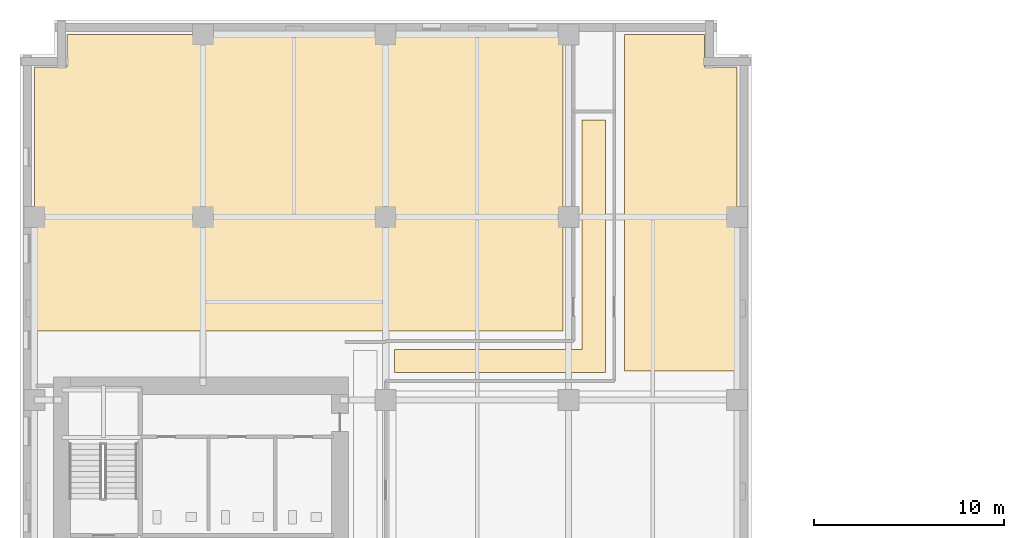
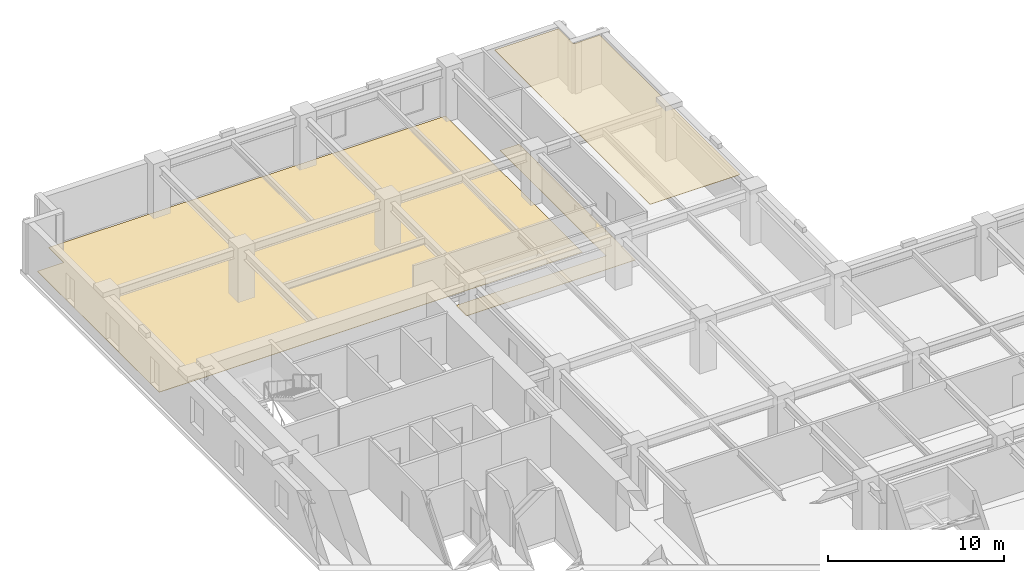
# One storey, part 14 of 15: 3 coverings.
"""IFC4 building model written with IfcOpenShell, lengths in metres."""

from ifc_helpers import new_model, si_unit, direction, frame, origin, place, context, subcontext, project, spatial, polyline, outline, extrude, material, layer, layer_set, type_object, element, save


model = new_model("IFC4")

# Units and contexts
model_context = context("Model", 3, precision=1e-05, world=origin(), true_north=direction((0.0, 1.0)))
body_context = subcontext(model_context, "Body", "Model", "MODEL_VIEW")
ifc_project = project(units=[si_unit("LENGTHUNIT", "METRE"), si_unit("AREAUNIT", "SQUARE_METRE"), si_unit("VOLUMEUNIT", "CUBIC_METRE"), si_unit("PLANEANGLEUNIT", "RADIAN"), si_unit("MASSUNIT", "GRAM", prefix="KILO")], contexts=[model_context])

# Site, building, storey
site_placement = place(None, origin())
site = spatial("IfcSite", under=ifc_project, at=site_placement, CompositionType="ELEMENT")
building_placement = place(site_placement, origin())
building = spatial("IfcBuilding", under=site, at=building_placement, Name="Norrvale University Quadrangle", CompositionType="ELEMENT")
storey_placement = place(building_placement, frame((0.0, 0.0, 92.60009765625)))
storey = spatial("IfcBuildingStorey", under=building, at=storey_placement, Name="L23", CompositionType="ELEMENT", Elevation=92.60009765625)

# Coverings
ifc_material_1 = material(Name="Perforated Acoustic Mineral Ceiling")
ifc_layer_1 = layer(ifc_material_1, 0.02490234375, Name="Perforated Acoustic Mineral Ceiling")
ifc_layer_set_1 = layer_set([ifc_layer_1], Name="Perforated Acoustic Mineral Ceiling")
covering_type_1 = type_object("IfcCoveringType", Name="Covering Acoustic Ceiling 25", PredefinedType="CEILING", material=ifc_layer_set_1)
covering_1_placement = place(storey_placement, frame((0.0, 0.0, 3.454833984375)))
element("IfcCovering", 1, at=covering_1_placement, inside=storey, type_object=covering_type_1, Name="Acoustic Ceiling RM-L23-NE01", PredefinedType="CEILING", context=body_context, shape_type="SweptSolid", body=[
    extrude(outline(polyline([(37.64990234375, 48.780029296875), (31.72998046875, 48.780029296875), (31.72998046875, 66.449951171875), (35.929931640625, 66.449951171875), (35.929931640625, 64.72998046875), (37.64990234375, 64.72998046875), (37.64990234375, 48.780029296875)])), origin(), (0.0, 0.0, 1.0), 0.025146484375),
])
ifc_material_2 = material(Name="Polished Terrazzo Flooring")
ifc_layer_2 = layer(ifc_material_2, 0.02490234375, Name="Polished Terrazzo Flooring")
ifc_layer_set_2 = layer_set([ifc_layer_2], Name="Polished Terrazzo Flooring")
covering_type_2 = type_object("IfcCoveringType", Name="Covering Terrazzo Floor 30", PredefinedType="FLOORING", material=ifc_layer_set_2)
covering_2_placement = place(storey_placement, origin())
element("IfcCovering", 2, at=covering_2_placement, inside=storey, type_object=covering_type_2, Name="Terrazzo Flooring RM-L23-NCJOG", PredefinedType="FLOORING", context=body_context, shape_type="SweptSolid", body=[
    extrude(outline(polyline([(19.64990234375, 48.699951171875), (19.64990234375, 49.89990234375), (29.5, 49.89990234375), (29.5, 61.949951171875), (30.75, 61.949951171875), (30.75, 48.699951171875), (19.64990234375, 48.699951171875)])), origin(), (0.0, 0.0, 1.0), 0.02490234375),
])
covering_3_placement = place(storey_placement, origin())
element("IfcCovering", 3, at=covering_3_placement, inside=storey, type_object=covering_type_2, Name="Terrazzo Flooring RM-L23-NW01", PredefinedType="FLOORING", context=body_context, shape_type="SweptSolid", body=[
    extrude(outline(polyline([(28.52001953125, 66.449951171875), (28.52001953125, 50.8798828125), (0.75, 50.8798828125), (0.75, 64.72998046875), (2.469970703125, 64.72998046875), (2.469970703125, 66.449951171875), (28.52001953125, 66.449951171875)])), origin(), (0.0, 0.0, 1.0), 0.02490234375),
])

save(model, "model.ifc")
